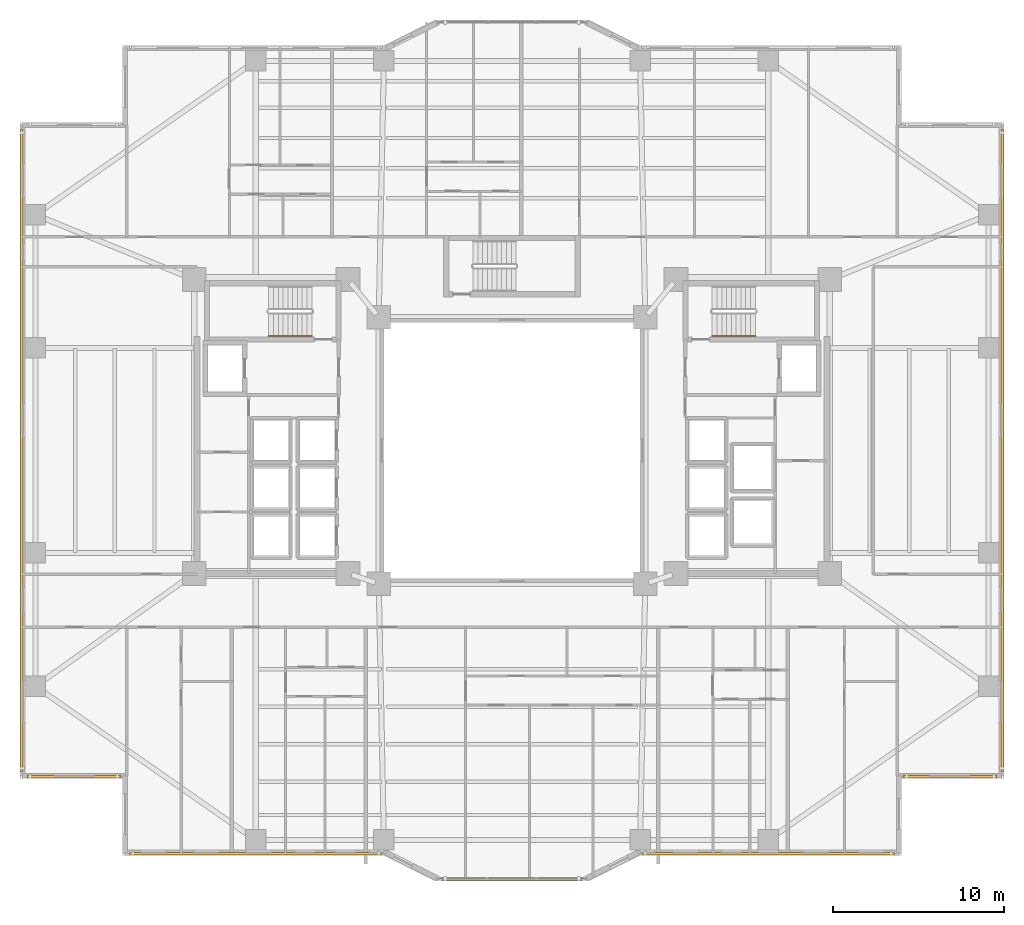
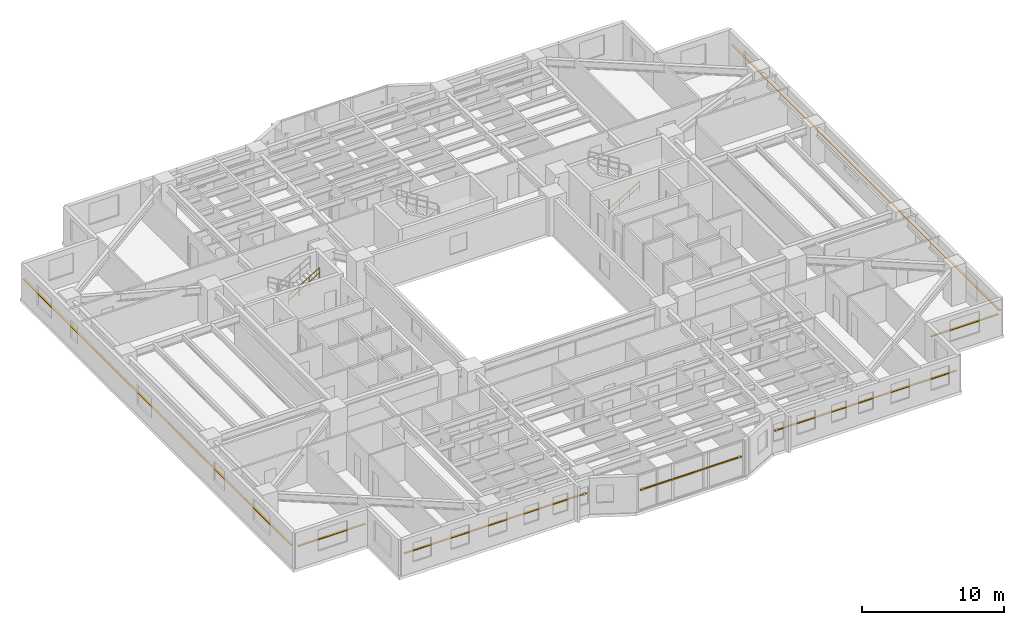
# One storey, part 19 of 21: 7 shading devices, 2 railings.
"""IFC4 building model written with IfcOpenShell, lengths in metres."""

from ifc_helpers import new_model, si_unit, direction, frame, origin, origin_2d, place, context, subcontext, project, spatial, rectangle, circle, extrude, material, material_profile, profile_set, type_object, element, save


model = new_model("IFC4")

# Units and contexts
model_context = context("Model", 3, precision=1e-05, world=origin(), true_north=direction((0.0, 1.0)))
body_context = subcontext(model_context, "Body", "Model", "MODEL_VIEW")
ifc_project = project(units=[si_unit("LENGTHUNIT", "METRE"), si_unit("AREAUNIT", "SQUARE_METRE"), si_unit("VOLUMEUNIT", "CUBIC_METRE"), si_unit("PLANEANGLEUNIT", "RADIAN"), si_unit("MASSUNIT", "GRAM", prefix="KILO")], contexts=[model_context])

# Site, building, storey
site_placement = place(None, origin())
site = spatial("IfcSite", under=ifc_project, at=site_placement, CompositionType="ELEMENT")
building_placement = place(site_placement, origin())
building = spatial("IfcBuilding", under=site, at=building_placement, Name="Tarnavaz Court Tower", CompositionType="ELEMENT")
storey_placement = place(building_placement, frame((0.0, 0.0, 40.75)))
storey = spatial("IfcBuildingStorey", under=building, at=storey_placement, Name="L10", CompositionType="ELEMENT", Elevation=40.75)

# Railings
ifc_material_1 = material(Name="Brushed Stainless Steel", Category="steel")
railing_type = type_object("IfcRailingType", Name="RL-HANDRAIL-900", PredefinedType="HANDRAIL", material=ifc_material_1)
for number, where, name in (
    (1, (-14.239990234375, 6.699951171875, 1.842529296875), "L10 ST-W1 stair handrail 2"),
    (2, (11.719970703125, 6.699951171875, 0.16748046875), "L10 ST-E1 stair handrail 1"),
):
    element("IfcRailing", number, at=place(storey_placement, frame(where)), inside=storey, type_object=railing_type, Name=name, PredefinedType="HANDRAIL", context=body_context, shape_type="SweptSolid", body=[
        extrude(circle(Radius=0.02392578125, at=origin_2d()), frame((0.0, 0.0, 0.8759765625), z_axis=(0.858159760407, 0.0, 0.513382728203), x_axis=(0.0, 1.0, 0.0)), (0.0, 0.0, 1.0), 2.9365234375),
        extrude(circle(Radius=0.02392578125, at=origin_2d()), frame((0.0, 0.0, 0.449951171875), z_axis=(0.858159760407, 0.0, 0.513382728203), x_axis=(0.0, 1.0, 0.0)), (0.0, 0.0, 1.0), 2.9365234375),
        extrude(circle(Radius=0.02099609375, at=origin_2d()), origin(), (0.0, 0.0, 1.0), 0.851806640625),
        extrude(circle(Radius=0.02099609375, at=origin_2d()), frame((0.840087890625, 0.0, 0.50244140625)), (0.0, 0.0, 1.0), 0.851806640625),
        extrude(circle(Radius=0.02099609375, at=origin_2d()), frame((1.679931640625, 0.0, 1.005126953125)), (0.0, 0.0, 1.0), 0.851806640625),
        extrude(circle(Radius=0.02099609375, at=origin_2d()), frame((2.52001953125, 0.0, 1.507568359375)), (0.0, 0.0, 1.0), 0.851806640625),
    ])

# Shading devices
ifc_material_2 = material(Name="Kiln-Fired Khorasan Terracotta Ceramic", Category="masonry")
ifc_material_profile_1 = material_profile(ifc_material_2, rectangle(XDim=0.1201171875, YDim=0.06005859375, at=origin_2d()), Name="TC BAGUETTE 120X60")
ifc_profile_set_1 = profile_set([ifc_material_profile_1], Name="Kiln-Fired Khorasan Terracotta Ceramic")
shading_device_type_1 = type_object("IfcShadingDeviceType", Name="SD-BAG-120", PredefinedType="USERDEFINED", material=ifc_profile_set_1)
shading_device_1_placement = place(storey_placement, frame((4.10009765625, -25.110107421875, 1.800048828125), z_axis=(-1.0, 0.0, 0.0), x_axis=(0.0, -1.0, 0.0)))
element("IfcShadingDevice", 3, at=shading_device_1_placement, inside=storey, type_object=shading_device_type_1, Name="L10 Terracotta Baguette Screen PBG17", ObjectType="BAGUETTE", PredefinedType="USERDEFINED", context=body_context, shape_type="SweptSolid", body=[
    extrude(rectangle(XDim=0.1201171875, YDim=0.06005859375, at=origin_2d()), origin(), (0.0, 0.0, 1.0), 8.2001953125),
])
ifc_material_profile_2 = material_profile(ifc_material_2, rectangle(XDim=0.14990234375, YDim=0.06494140625, at=origin_2d()), Name="TC BAGUETTE 150X65")
ifc_profile_set_2 = profile_set([ifc_material_profile_2], Name="Kiln-Fired Khorasan Terracotta Ceramic")
shading_device_type_2 = type_object("IfcShadingDeviceType", Name="SD-BAG-150", PredefinedType="USERDEFINED", material=ifc_profile_set_2)
shading_device_2_placement = place(storey_placement, frame((-22.89990234375, -19.110107421875, 1.85009765625), z_axis=(-1.0, 0.0, 0.0), x_axis=(0.0, -1.0, 0.0)))
element("IfcShadingDevice", 4, at=shading_device_2_placement, inside=storey, type_object=shading_device_type_2, Name="L10 Terracotta Baguette Screen FBG01", ObjectType="BAGUETTE", PredefinedType="USERDEFINED", context=body_context, shape_type="SweptSolid", body=[
    extrude(rectangle(XDim=0.14990234375, YDim=0.06494140625, at=origin_2d()), origin(), (0.0, 0.0, 1.0), 5.5),
])
for number, where, z_axis, x_axis, name in (
    (5, (-28.7099609375, -18.800048828125, 1.85009765625), (0.0, 1.0, 0.0), (-1.0, 0.0, 0.0), "L10 Terracotta Baguette Screen FBG02"),
    (6, (28.7099609375, 18.800048828125, 1.85009765625), (0.0, -1.0, 0.0), (1.0, 0.0, 0.0), "L10 Terracotta Baguette Screen FBG12"),
):
    element("IfcShadingDevice", number, at=place(storey_placement, frame(where, z_axis=z_axis, x_axis=x_axis)), inside=storey, type_object=shading_device_type_2, Name=name, ObjectType="BAGUETTE", PredefinedType="USERDEFINED", context=body_context, shape_type="SweptSolid", body=[
        extrude(rectangle(XDim=0.14990234375, YDim=0.06494140625, at=origin_2d()), origin(), (0.0, 0.0, 1.0), 37.60009765625),
    ])
shading_device_3_placement = place(storey_placement, frame((28.39990234375, -19.110107421875, 1.85009765625), z_axis=(-1.0, 0.0, 0.0), x_axis=(0.0, -1.0, 0.0)))
element("IfcShadingDevice", 7, at=shading_device_3_placement, inside=storey, type_object=shading_device_type_2, Name="L10 Terracotta Baguette Screen FBG13", ObjectType="BAGUETTE", PredefinedType="USERDEFINED", context=body_context, shape_type="SweptSolid", body=[
    extrude(rectangle(XDim=0.14990234375, YDim=0.06494140625, at=origin_2d()), origin(), (0.0, 0.0, 1.0), 5.5),
])
for number, where, z_axis, x_axis, name in (
    (8, (22.39990234375, -23.610107421875, 1.85009765625), (-1.0, 0.0, 0.0), (0.0, -1.0, 0.0), "L10 Terracotta Baguette Screen FBG15"),
    (9, (-7.60009765625, -23.610107421875, 1.85009765625), (-1.0, 0.0, 0.0), (0.0, -1.0, 0.0), "L10 Terracotta Baguette Screen FBG19"),
):
    element("IfcShadingDevice", number, at=place(storey_placement, frame(where, z_axis=z_axis, x_axis=x_axis)), inside=storey, type_object=shading_device_type_2, Name=name, ObjectType="BAGUETTE", PredefinedType="USERDEFINED", context=body_context, shape_type="SweptSolid", body=[
        extrude(rectangle(XDim=0.14990234375, YDim=0.06494140625, at=origin_2d()), origin(), (0.0, 0.0, 1.0), 14.7998046875),
    ])

save(model, "model.ifc")
